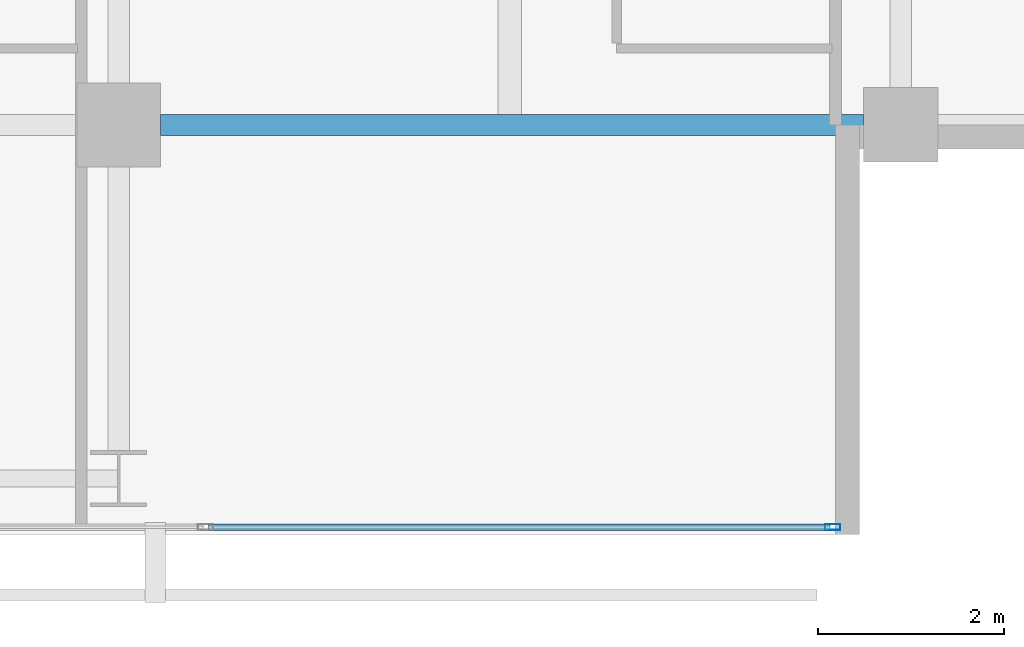
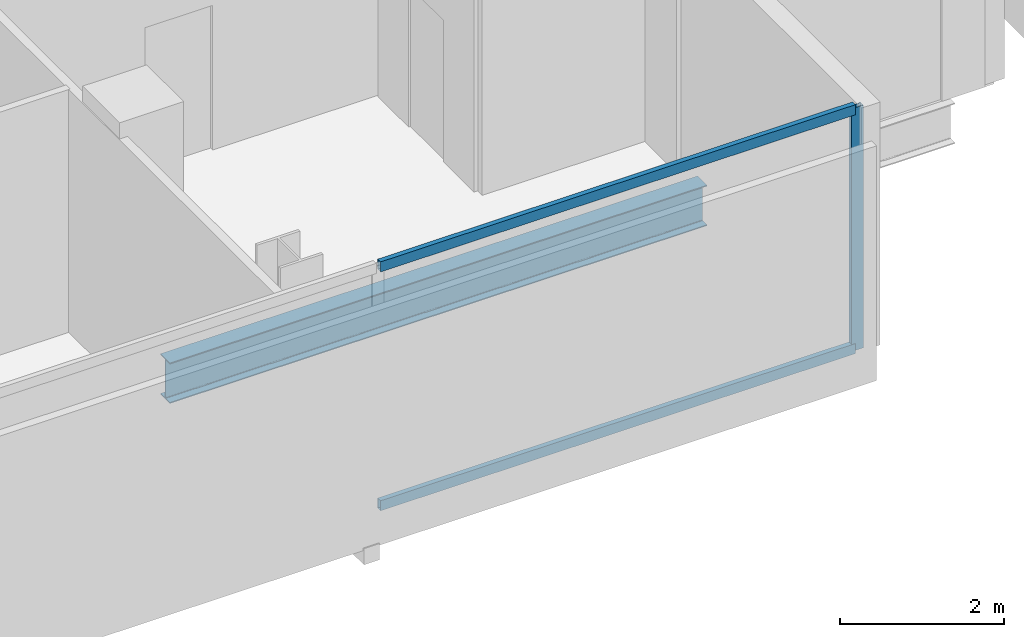
# One storey, part 13 of 34: 3 members, 1 beam, 1 element without a shape of its own.
"""IFC4 building model written with IfcOpenShell, lengths in metres."""

from ifc_helpers import new_model, si_unit, direction, frame, origin, origin_2d, place, context, subcontext, project, spatial, hollow_rectangle, i_section, extrude, material, layer, layer_set, material_profile, profile_set, type_object, element, aggregate, save


model = new_model("IFC4")

# Units and contexts
model_context = context("Model", 3, precision=1e-05, world=origin(), true_north=direction((0.0, 1.0)))
body_context = subcontext(model_context, "Body", "Model", "MODEL_VIEW")
ifc_project = project(units=[si_unit("LENGTHUNIT", "METRE"), si_unit("AREAUNIT", "SQUARE_METRE"), si_unit("VOLUMEUNIT", "CUBIC_METRE"), si_unit("PLANEANGLEUNIT", "RADIAN"), si_unit("MASSUNIT", "GRAM", prefix="KILO")], contexts=[model_context])

# Site, building, storey
site_placement = place(None, origin())
site = spatial("IfcSite", under=ifc_project, at=site_placement, CompositionType="ELEMENT")
building_placement = place(site_placement, origin())
building = spatial("IfcBuilding", under=site, at=building_placement, Name="Maruvema Waterfront Hotel and Observation Tower", CompositionType="ELEMENT")
storey_placement = place(building_placement, frame((0.0, 0.0, 173.60009765625)))
storey = spatial("IfcBuildingStorey", under=building, at=storey_placement, Name="L42", CompositionType="ELEMENT", Elevation=173.60009765625)

# Curtain wall, members
ifc_material_1 = material(Name="Anodised bronze aluminium and solar-control low-E IGU", Category="aluminium")
ifc_layer = layer(ifc_material_1, 0.159912109375, Name="Zone 2 Amber Inner Thermal Curtain Wall System CW-03")
ifc_layer_set = layer_set([ifc_layer], Name="Anodised bronze aluminium and solar-control low-E IGU")
curtain_wall_type = type_object("IfcCurtainWallType", Name="Zone 2 Amber Inner Thermal Curtain Wall System CW-03", PredefinedType="USERDEFINED", material=ifc_layer_set)
curtain_wall_placement = place(storey_placement, origin())
curtain_wall = element("IfcCurtainWall", 1, at=curtain_wall_placement, inside=storey, type_object=curtain_wall_type, Name="L42 Curtain Wall CW-L42-S", ObjectType="UNITISED CURTAIN WALL", PredefinedType="USERDEFINED")
ifc_material_2 = material(Name="Anodised architectural bronze aluminium", Category="aluminium")
ifc_material_profile_1 = material_profile(ifc_material_2, hollow_rectangle(XDim=0.070068359375, YDim=0.14990234375, WallThickness=0.00390625, at=origin_2d()), Name="ALU-T70x150")
ifc_profile_set_1 = profile_set([ifc_material_profile_1], Name="Anodised architectural bronze aluminium")
member_type_1 = type_object("IfcMemberType", Name="Curtain Wall Horizontal Transom ALU-T70x150", PredefinedType="USERDEFINED", material=ifc_profile_set_1)
member_1_placement = place(storey_placement, frame((51.36328125, 4.679931640625, 0.02978515625), z_axis=(1.0, 0.0, 0.0), x_axis=(0.0, 1.0, 0.0)))
member_1 = element("IfcMember", 2, at=member_1_placement, type_object=member_type_1, Name="CW-03 transom 6.1", ObjectType="TRANSOM", PredefinedType="USERDEFINED", context=body_context, shape_type="SweptSolid", body=[
    extrude(hollow_rectangle(XDim=0.070068359375, YDim=0.14990234375, WallThickness=0.00390625, at=origin_2d()), origin(), (0.0, 0.0, 1.0), 6.6767578125),
])
member_2_placement = place(storey_placement, frame((51.36328125, 4.679931640625, 3.579833984375), z_axis=(1.0, 0.0, 0.0), x_axis=(0.0, 1.0, 0.0)))
member_2 = element("IfcMember", 3, at=member_2_placement, type_object=member_type_1, Name="CW-03 transom 6.2", ObjectType="TRANSOM", PredefinedType="USERDEFINED", context=body_context, shape_type="SweptSolid", body=[
    extrude(hollow_rectangle(XDim=0.070068359375, YDim=0.14990234375, WallThickness=0.00390625, at=origin_2d()), origin(), (0.0, 0.0, 1.0), 6.6767578125),
])
ifc_material_3 = material(Name="Anodised architectural bronze aluminium", Category="aluminium")
ifc_material_profile_2 = material_profile(ifc_material_3, hollow_rectangle(XDim=0.06494140625, YDim=0.1650390625, WallThickness=0.00390625, at=origin_2d()), Name="ALU-M65x165")
ifc_profile_set_2 = profile_set([ifc_material_profile_2], Name="Anodised architectural bronze aluminium")
member_type_2 = type_object("IfcMemberType", Name="Curtain Wall Primary Mullion ALU-M65x165", PredefinedType="MULLION", material=ifc_profile_set_2)
member_3_placement = place(storey_placement, frame((58.070068359375, 4.679931640625, 0.0), z_axis=(0.0, 0.0, 1.0), x_axis=(0.0, 1.0, 0.0)))
member_3 = element("IfcMember", 4, at=member_3_placement, type_object=member_type_2, Name="CW-03 mullion 7", PredefinedType="MULLION", context=body_context, shape_type="SweptSolid", body=[
    extrude(hollow_rectangle(XDim=0.06494140625, YDim=0.1650390625, WallThickness=0.00390625, at=origin_2d()), origin(), (0.0, 0.0, 1.0), 3.60986328125),
])
aggregate(curtain_wall, [member_3, member_1, member_2])

# Beam
ifc_material_4 = material(Name="Steel ASTM A572 Grade 50", Category="steel")
ifc_material_profile_3 = material_profile(ifc_material_4, i_section(OverallWidth=0.22802734375, OverallDepth=0.60302734375, WebThickness=0.010498046875, FlangeThickness=0.014892578125, FilletRadius=0.01806640625, at=origin_2d()), Name="W610x101.0")
ifc_profile_set_3 = profile_set([ifc_material_profile_3], Name="Steel ASTM A572 Grade 50")
beam_type = type_object("IfcBeamType", Name="Primary Floor Girder W610x101.0", PredefinedType="BEAM", material=ifc_profile_set_3)
beam_placement = place(storey_placement, frame((50.85009765625, 9.0, -0.54150390625), z_axis=(1.0, 0.0, 0.0), x_axis=(0.0, 1.0, 0.0)))
element("IfcBeam", 5, at=beam_placement, inside=storey, type_object=beam_type, Name="L42 Floor Girder EW-09", PredefinedType="BEAM", context=body_context, shape_type="SweptSolid", body=[
    extrude(i_section(OverallWidth=0.22802734375, OverallDepth=0.60302734375, WebThickness=0.010498046875, FlangeThickness=0.014892578125, FilletRadius=0.01806640625, at=origin_2d()), origin(), (0.0, 0.0, 1.0), 7.5498046875),
])

save(model, "model.ifc")
